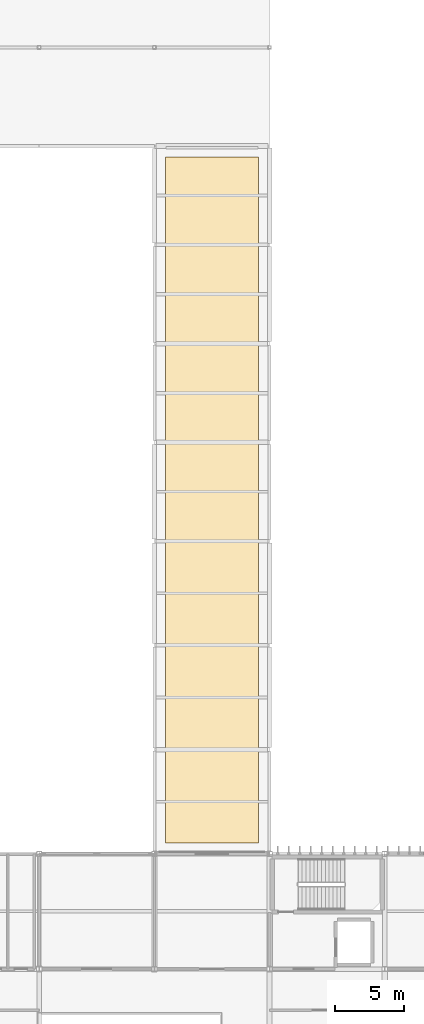
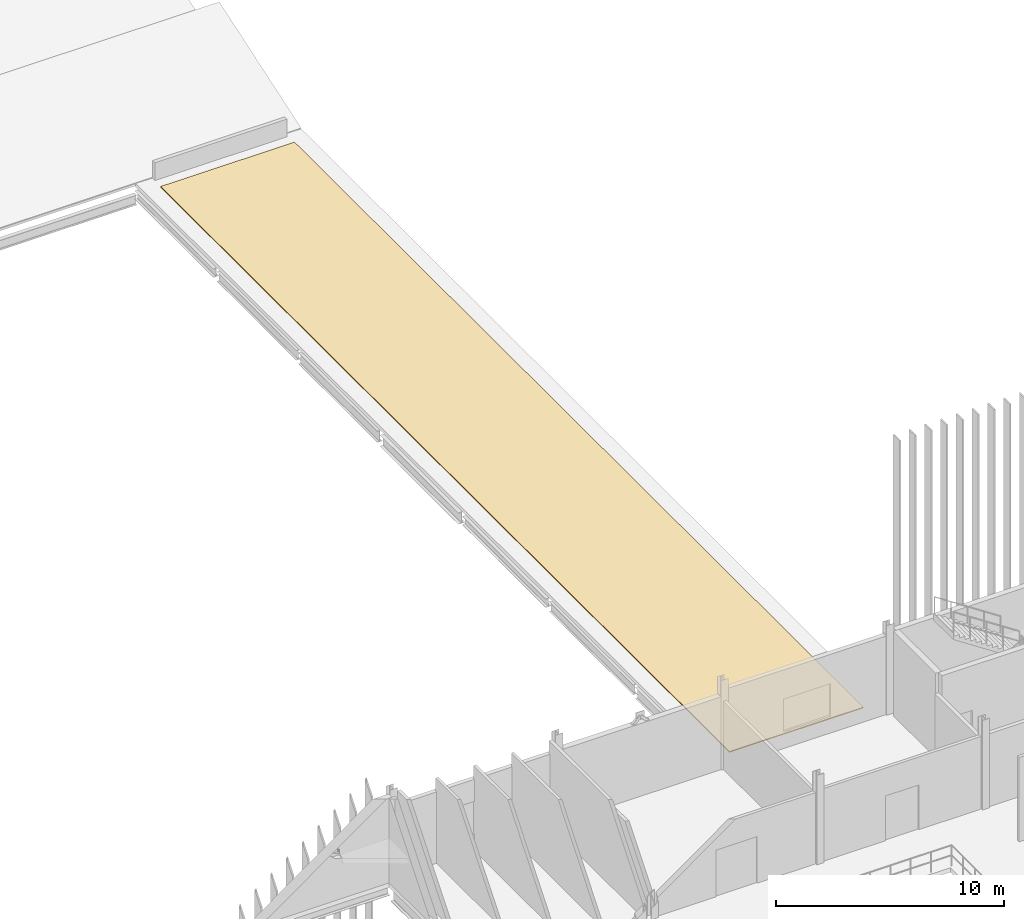
# One storey, part 63 of 72: 1 covering.
"""IFC4 building model written with IfcOpenShell, lengths in metres."""

from ifc_helpers import new_model, si_unit, direction, frame, origin, place, context, subcontext, project, spatial, polyline, outline, extrude, material, layer, layer_set, type_object, element, save


model = new_model("IFC4")

# Units and contexts
model_context = context("Model", 3, precision=1e-05, world=origin(), true_north=direction((0.0, 1.0)))
body_context = subcontext(model_context, "Body", "Model", "MODEL_VIEW")
ifc_project = project(units=[si_unit("LENGTHUNIT", "METRE"), si_unit("AREAUNIT", "SQUARE_METRE"), si_unit("VOLUMEUNIT", "CUBIC_METRE"), si_unit("PLANEANGLEUNIT", "RADIAN"), si_unit("MASSUNIT", "GRAM", prefix="KILO")], contexts=[model_context])

# Site, building, storey
site_placement = place(None, origin())
site = spatial("IfcSite", under=ifc_project, at=site_placement, CompositionType="ELEMENT")
building_placement = place(site_placement, origin())
building = spatial("IfcBuilding", under=site, at=building_placement, Name="Calvrana Isthmian Art Gallery", CompositionType="ELEMENT")
storey_placement = place(building_placement, frame((0.0, 0.0, 15.0)))
storey = spatial("IfcBuildingStorey", under=building, at=storey_placement, Name="L03", CompositionType="ELEMENT", Elevation=15.0)

# Covering
ifc_material = material(Name="Standing-seam zinc-aluminium roofing", Category="aluminium")
ifc_layer = layer(ifc_material, 0.050048828125, Name="Standing-seam zinc-aluminium roofing")
ifc_layer_set = layer_set([ifc_layer], Name="Standing-seam zinc-aluminium roofing")
covering_type = type_object("IfcCoveringType", Name="COV-ROOF-ZINC", PredefinedType="ROOFING", material=ifc_layer_set)
covering_placement = place(storey_placement, origin())
element("IfcCovering", 1, at=covering_placement, inside=storey, type_object=covering_type, Name="Insulated roof membrane ROOF_V6L_L03", PredefinedType="ROOFING", context=body_context, shape_type="SweptSolid", body=[
    extrude(outline(polyline([(56.0, 47.60009765625), (62.800048828125, 47.60009765625), (62.800048828125, 97.60009765625), (56.0, 97.60009765625), (56.0, 47.60009765625)])), origin(), (0.0, 0.0, 1.0), 0.050048828125),
])

save(model, "model.ifc")
